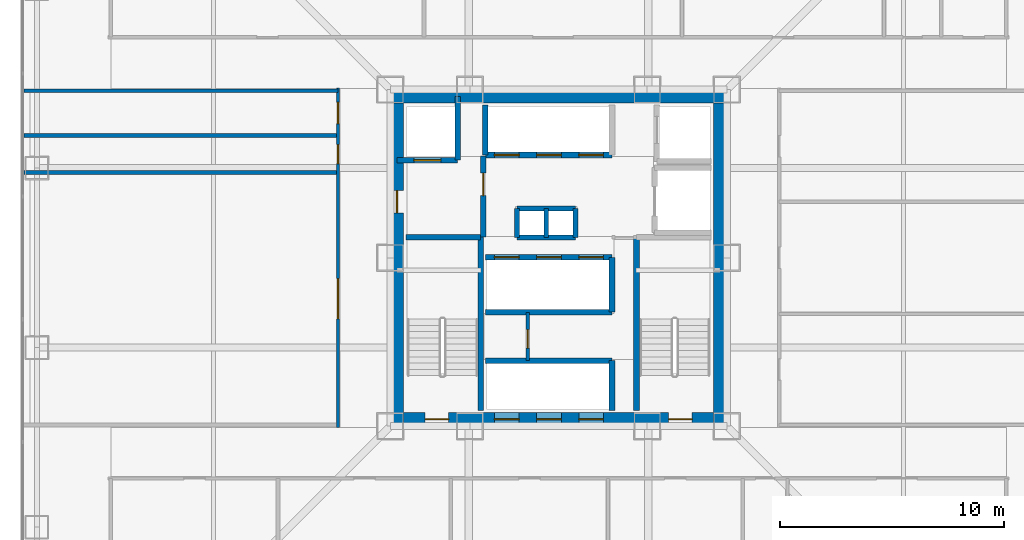
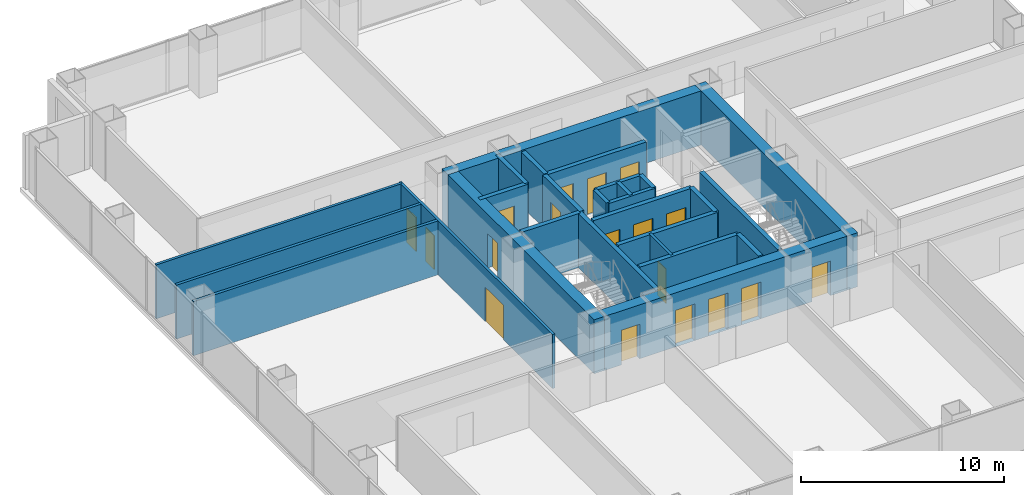
# One storey, part 15 of 19: 27 walls, 18 doors, 18 openings.
"""IFC4 building model written with IfcOpenShell, lengths in metres."""

from ifc_helpers import new_model, si_unit, direction, frame, frame_2d, origin, place, context, subcontext, project, spatial, rectangle, extrude, material, layer, layer_set, type_object, element, fill, save


model = new_model("IFC4")

# Units and contexts
model_context = context("Model", 3, precision=1e-05, world=origin(), true_north=direction((0.0, 1.0)))
body_context = subcontext(model_context, "Body", "Model", "MODEL_VIEW")
ifc_project = project(units=[si_unit("LENGTHUNIT", "METRE"), si_unit("AREAUNIT", "SQUARE_METRE"), si_unit("VOLUMEUNIT", "CUBIC_METRE"), si_unit("PLANEANGLEUNIT", "RADIAN"), si_unit("MASSUNIT", "GRAM", prefix="KILO")], contexts=[model_context])

# Site, building, storey
site_placement = place(None, origin())
site = spatial("IfcSite", under=ifc_project, at=site_placement, CompositionType="ELEMENT")
building_placement = place(site_placement, origin())
building = spatial("IfcBuilding", under=site, at=building_placement, Name="Trevonay Congress Spire", CompositionType="ELEMENT")
storey_placement = place(building_placement, frame((0.0, 0.0, 41.0)))
storey = spatial("IfcBuildingStorey", under=building, at=storey_placement, Name="L09", CompositionType="ELEMENT", Elevation=41.0)

# Wall, openings, doors
ifc_material_1 = material(Name="Concrete C60/75", Category="concrete")
ifc_layer_1 = layer(ifc_material_1, 0.60009765625, Name="Concrete C60/75")
ifc_layer_set_1 = layer_set([ifc_layer_1], Name="Concrete C60/75")
wall_type_1 = type_object("IfcWallType", Name="WAL-CORE-600", PredefinedType="SHEAR", material=ifc_layer_set_1)
wall_1_placement = place(storey_placement, frame((-7.5, -7.199951171875, 0.0), z_axis=(0.0, 0.0, 1.0), x_axis=(1.0, 0.0, 0.0)))
wall_1 = element("IfcWall", 1, at=wall_1_placement, inside=storey, type_object=wall_type_1, Name="L09 South structural core shear wall", PredefinedType="SHEAR", context=body_context, shape_type="SweptSolid", body=[
    extrude(rectangle(XDim=15.0, YDim=0.60009765625, at=frame_2d((7.5, 0.0))), origin(), (0.0, 0.0, 1.0), 3.25),
])
opening_1_placement = place(wall_1_placement, frame((1.550048828125, 0.0, 0.0)))
opening_1 = element("IfcOpeningElement", 2, at=opening_1_placement, cuts=wall_1, Name="Opening D05", PredefinedType="OPENING", context=body_context, shape_type="SweptSolid", body=[
    extrude(rectangle(XDim=1.050048828125, YDim=2.080078125, at=frame_2d((0.52490234375, 1.0400390625))), frame((0.0, 0.31005859375, 0.0), z_axis=(0.0, -1.0, 0.0), x_axis=(1.0, 0.0, 0.0)), (0.0, 0.0, 1.0), 0.6201171875),
])
opening_2_placement = place(wall_1_placement, frame((12.39990234375, 0.0, 0.0)))
opening_2 = element("IfcOpeningElement", 3, at=opening_2_placement, cuts=wall_1, Name="Opening D05", PredefinedType="OPENING", context=body_context, shape_type="SweptSolid", body=[
    extrude(rectangle(XDim=1.050048828125, YDim=2.080078125, at=frame_2d((0.52490234375, 1.0400390625))), frame((0.0, 0.31005859375, 0.0), z_axis=(0.0, -1.0, 0.0), x_axis=(1.0, 0.0, 0.0)), (0.0, 0.0, 1.0), 0.6201171875),
])
opening_3_placement = place(wall_1_placement, frame((4.639892578125, 0.0, 0.0)))
opening_3 = element("IfcOpeningElement", 4, at=opening_3_placement, cuts=wall_1, Name="Opening LD01", PredefinedType="OPENING", context=body_context, shape_type="SweptSolid", body=[
    extrude(rectangle(XDim=1.10009765625, YDim=2.199951171875, at=frame_2d((0.550048828125, 1.10009765625))), frame((0.0, 0.31005859375, 0.0), z_axis=(0.0, -1.0, 0.0), x_axis=(1.0, 0.0, 0.0)), (0.0, 0.0, 1.0), 0.6201171875),
])
opening_4_placement = place(wall_1_placement, frame((6.52001953125, 0.0, 0.0)))
opening_4 = element("IfcOpeningElement", 5, at=opening_4_placement, cuts=wall_1, Name="Opening LD01", PredefinedType="OPENING", context=body_context, shape_type="SweptSolid", body=[
    extrude(rectangle(XDim=1.10009765625, YDim=2.199951171875, at=frame_2d((0.550048828125, 1.10009765625))), frame((0.0, 0.31005859375, 0.0), z_axis=(0.0, -1.0, 0.0), x_axis=(1.0, 0.0, 0.0)), (0.0, 0.0, 1.0), 0.6201171875),
])
opening_5_placement = place(wall_1_placement, frame((8.39990234375, 0.0, 0.0)))
opening_5 = element("IfcOpeningElement", 6, at=opening_5_placement, cuts=wall_1, Name="Opening LD01", PredefinedType="OPENING", context=body_context, shape_type="SweptSolid", body=[
    extrude(rectangle(XDim=1.10009765625, YDim=2.199951171875, at=frame_2d((0.550048828125, 1.10009765625))), frame((0.0, 0.31005859375, 0.0), z_axis=(0.0, -1.0, 0.0), x_axis=(1.0, 0.0, 0.0)), (0.0, 0.0, 1.0), 0.6201171875),
])
ifc_material_2 = material(Name="Pale Anodised Aluminium EN AW-6063-T6", Category="aluminium")
door_type_1 = type_object("IfcDoorType", Name="DOR-LIFT-LD01", OperationType="DOUBLE_DOOR_SLIDING", PredefinedType="DOOR", material=ifc_material_2)
door_1_placement = place(opening_3_placement, origin())
door_1 = element("IfcDoor", 7, at=door_1_placement, inside=storey, type_object=door_type_1, Name="L09 Passenger lift PL-01 landing door", OperationType="DOUBLE_DOOR_SLIDING", OverallHeight=2.199951171875, OverallWidth=1.10009765625, PredefinedType="DOOR", context=body_context, shape_type="SweptSolid", body=[
    extrude(rectangle(XDim=1.10009765625, YDim=2.199951171875, at=frame_2d((0.550048828125, 1.10009765625))), frame((0.0, 0.02490234375, 0.0), z_axis=(0.0, -1.0, 0.0), x_axis=(1.0, 0.0, 0.0)), (0.0, 0.0, 1.0), 0.050048828125),
])
fill(opening_3, door_1)
door_2_placement = place(opening_4_placement, origin())
door_2 = element("IfcDoor", 8, at=door_2_placement, inside=storey, type_object=door_type_1, Name="L09 Passenger lift PL-02 landing door", OperationType="DOUBLE_DOOR_SLIDING", OverallHeight=2.199951171875, OverallWidth=1.10009765625, PredefinedType="DOOR", context=body_context, shape_type="SweptSolid", body=[
    extrude(rectangle(XDim=1.10009765625, YDim=2.199951171875, at=frame_2d((0.550048828125, 1.10009765625))), frame((0.0, 0.02490234375, 0.0), z_axis=(0.0, -1.0, 0.0), x_axis=(1.0, 0.0, 0.0)), (0.0, 0.0, 1.0), 0.050048828125),
])
fill(opening_4, door_2)
door_3_placement = place(opening_5_placement, origin())
door_3 = element("IfcDoor", 9, at=door_3_placement, inside=storey, type_object=door_type_1, Name="L09 Passenger lift PL-03 landing door", OperationType="DOUBLE_DOOR_SLIDING", OverallHeight=2.199951171875, OverallWidth=1.10009765625, PredefinedType="DOOR", context=body_context, shape_type="SweptSolid", body=[
    extrude(rectangle(XDim=1.10009765625, YDim=2.199951171875, at=frame_2d((0.550048828125, 1.10009765625))), frame((0.0, 0.02490234375, 0.0), z_axis=(0.0, -1.0, 0.0), x_axis=(1.0, 0.0, 0.0)), (0.0, 0.0, 1.0), 0.050048828125),
])
fill(opening_5, door_3)
ifc_material_3 = material(Name="Steel ASTM A572 Grade 50", Category="steel")
door_type_2 = type_object("IfcDoorType", Name="DOR-STAIR-110", OperationType="NOTDEFINED", PredefinedType="DOOR", material=ifc_material_3)
door_4_placement = place(opening_1_placement, origin())
door_4 = element("IfcDoor", 10, at=door_4_placement, inside=storey, type_object=door_type_2, Name="L09 Protected Stair ST-1 Door", OperationType="SINGLE_SWING_LEFT", OverallHeight=2.080078125, OverallWidth=1.050048828125, PredefinedType="DOOR", context=body_context, shape_type="SweptSolid", body=[
    extrude(rectangle(XDim=1.050048828125, YDim=2.080078125, at=frame_2d((0.52490234375, 1.0400390625))), frame((0.0, 0.02490234375, 0.0), z_axis=(0.0, -1.0, 0.0), x_axis=(1.0, 0.0, 0.0)), (0.0, 0.0, 1.0), 0.050048828125),
])
fill(opening_1, door_4)
door_5_placement = place(opening_2_placement, origin())
door_5 = element("IfcDoor", 11, at=door_5_placement, inside=storey, type_object=door_type_2, Name="L09 Protected Stair ST-2 Door", OperationType="SINGLE_SWING_RIGHT", OverallHeight=2.080078125, OverallWidth=1.050048828125, PredefinedType="DOOR", context=body_context, shape_type="SweptSolid", body=[
    extrude(rectangle(XDim=1.050048828125, YDim=2.080078125, at=frame_2d((0.52490234375, 1.0400390625))), frame((0.0, 0.02490234375, 0.0), z_axis=(0.0, -1.0, 0.0), x_axis=(1.0, 0.0, 0.0)), (0.0, 0.0, 1.0), 0.050048828125),
])
fill(opening_2, door_5)

# Wall
wall_2_placement = place(storey_placement, frame((-7.5, 7.199951171875, 0.0), z_axis=(0.0, 0.0, 1.0), x_axis=(1.0, 0.0, 0.0)))
element("IfcWall", 12, at=wall_2_placement, inside=storey, type_object=wall_type_1, Name="L09 North structural core shear wall", PredefinedType="SHEAR", context=body_context, shape_type="SweptSolid", body=[
    extrude(rectangle(XDim=15.0, YDim=0.60009765625, at=frame_2d((7.5, 0.0))), origin(), (0.0, 0.0, 1.0), 3.25),
])

# Wall, opening, door
wall_3_placement = place(storey_placement, frame((-7.199951171875, -7.5, 0.0), z_axis=(0.0, 0.0, 1.0), x_axis=(0.0, 1.0, 0.0)))
wall_3 = element("IfcWall", 13, at=wall_3_placement, inside=storey, type_object=wall_type_1, Name="L09 West structural core shear wall", PredefinedType="SHEAR", context=body_context, shape_type="SweptSolid", body=[
    extrude(rectangle(XDim=15.0, YDim=0.60009765625, at=frame_2d((7.5, 0.0))), origin(), (0.0, 0.0, 1.0), 3.25),
])
opening_6_placement = place(wall_3_placement, frame((9.5, 0.0, 0.0)))
opening_6 = element("IfcOpeningElement", 14, at=opening_6_placement, cuts=wall_3, Name="Opening D06", PredefinedType="OPENING", context=body_context, shape_type="SweptSolid", body=[
    extrude(rectangle(XDim=1.0, YDim=2.080078125, at=frame_2d((0.5, 1.0400390625))), frame((0.0, 0.31005859375, 0.0), z_axis=(0.0, -1.0, 0.0), x_axis=(1.0, 0.0, 0.0)), (0.0, 0.0, 1.0), 0.6201171875),
])
door_type_3 = type_object("IfcDoorType", Name="DOR-FIRE-100", OperationType="NOTDEFINED", PredefinedType="DOOR", material=ifc_material_3)
door_6_placement = place(opening_6_placement, origin())
door_6 = element("IfcDoor", 15, at=door_6_placement, inside=storey, type_object=door_type_3, Name="L09 Firefighting Lift Lobby West Corridor Door", OperationType="SINGLE_SWING_LEFT", OverallHeight=2.080078125, OverallWidth=1.0, PredefinedType="DOOR", context=body_context, shape_type="SweptSolid", body=[
    extrude(rectangle(XDim=1.0, YDim=2.080078125, at=frame_2d((0.5, 1.0400390625))), frame((0.0, 0.02490234375, 0.0), z_axis=(0.0, -1.0, 0.0), x_axis=(1.0, 0.0, 0.0)), (0.0, 0.0, 1.0), 0.050048828125),
])
fill(opening_6, door_6)

# Wall
wall_4_placement = place(storey_placement, frame((7.199951171875, -7.5, 0.0), z_axis=(0.0, 0.0, 1.0), x_axis=(0.0, 1.0, 0.0)))
element("IfcWall", 16, at=wall_4_placement, inside=storey, type_object=wall_type_1, Name="L09 East structural core shear wall", PredefinedType="SHEAR", context=body_context, shape_type="SweptSolid", body=[
    extrude(rectangle(XDim=15.0, YDim=0.60009765625, at=frame_2d((7.5, 0.0))), origin(), (0.0, 0.0, 1.0), 3.25),
])

# Wall, openings, doors
ifc_material_4 = material(Name="Concrete C40/50", Category="concrete")
ifc_layer_2 = layer(ifc_material_4, 0.14990234375, Name="Concrete C40/50")
ifc_layer_set_2 = layer_set([ifc_layer_2], Name="Concrete C40/50")
wall_type_2 = type_object("IfcWallType", Name="WAL-CORR-150", PredefinedType="PARTITIONING", material=ifc_layer_set_2)
wall_5_placement = place(storey_placement, frame((-9.830078125, -7.570068359375, 0.0), z_axis=(0.0, 0.0, 1.0), x_axis=(0.0, 1.0, 0.0)))
wall_5 = element("IfcWall", 17, at=wall_5_placement, inside=storey, type_object=wall_type_2, Name="L09 interior wall WP-L09W-COR", PredefinedType="PARTITIONING", context=body_context, shape_type="SweptSolid", body=[
    extrude(rectangle(XDim=15.14013671875, YDim=0.14990234375, at=frame_2d((7.570068359375, 0.0))), origin(), (0.0, 0.0, 1.0), 3.25),
])
opening_7_placement = place(wall_5_placement, frame((4.844970703125, 0.0, 0.0)))
opening_7 = element("IfcOpeningElement", 18, at=opening_7_placement, cuts=wall_5, Name="Opening D09", PredefinedType="OPENING", context=body_context, shape_type="SweptSolid", body=[
    extrude(rectangle(XDim=1.800048828125, YDim=2.080078125, at=frame_2d((0.89990234375, 1.0400390625))), frame((0.0, 0.0849609375, 0.0), z_axis=(0.0, -1.0, 0.0), x_axis=(1.0, 0.0, 0.0)), (0.0, 0.0, 1.0), 0.169921875),
])
opening_8_placement = place(wall_5_placement, frame((11.77001953125, 0.0, 0.0)))
opening_8 = element("IfcOpeningElement", 19, at=opening_8_placement, cuts=wall_5, Name="Opening D10", PredefinedType="OPENING", context=body_context, shape_type="SweptSolid", body=[
    extrude(rectangle(XDim=0.85009765625, YDim=2.050048828125, at=frame_2d((0.425048828125, 1.02490234375))), frame((0.0, 0.0849609375, 0.0), z_axis=(0.0, -1.0, 0.0), x_axis=(1.0, 0.0, 0.0)), (0.0, 0.0, 1.0), 0.169921875),
])
opening_9_placement = place(wall_5_placement, frame((13.544921875, 0.0, 0.0)))
opening_9 = element("IfcOpeningElement", 20, at=opening_9_placement, cuts=wall_5, Name="Opening D07", PredefinedType="OPENING", context=body_context, shape_type="SweptSolid", body=[
    extrude(rectangle(XDim=0.949951171875, YDim=2.06005859375, at=frame_2d((0.47509765625, 1.030029296875))), frame((0.0, 0.0849609375, 0.0), z_axis=(0.0, -1.0, 0.0), x_axis=(1.0, 0.0, 0.0)), (0.0, 0.0, 1.0), 0.169921875),
])
door_type_4 = type_object("IfcDoorType", Name="DOR-CONF-DBL", OperationType="DOUBLE_DOOR_SINGLE_SWING", PredefinedType="DOOR", material=ifc_material_2)
door_7_placement = place(opening_7_placement, origin())
door_7 = element("IfcDoor", 21, at=door_7_placement, inside=storey, type_object=door_type_4, Name="L09 Press Media Briefing Salon Door", OperationType="DOUBLE_DOOR_SINGLE_SWING", OverallHeight=2.080078125, OverallWidth=1.800048828125, PredefinedType="DOOR", context=body_context, shape_type="SweptSolid", body=[
    extrude(rectangle(XDim=1.800048828125, YDim=2.080078125, at=frame_2d((0.89990234375, 1.0400390625))), frame((0.0, 0.02490234375, 0.0), z_axis=(0.0, -1.0, 0.0), x_axis=(1.0, 0.0, 0.0)), (0.0, 0.0, 1.0), 0.050048828125),
])
fill(opening_7, door_7)
door_type_5 = type_object("IfcDoorType", Name="DOR-OFFICE-95", OperationType="NOTDEFINED", PredefinedType="DOOR", material=ifc_material_2)
door_8_placement = place(opening_9_placement, origin())
door_8 = element("IfcDoor", 22, at=door_8_placement, inside=storey, type_object=door_type_5, Name="L09 Floor Supplies and Copy Room Door", OperationType="SINGLE_SWING_LEFT", OverallHeight=2.06005859375, OverallWidth=0.949951171875, PredefinedType="DOOR", context=body_context, shape_type="SweptSolid", body=[
    extrude(rectangle(XDim=0.949951171875, YDim=2.06005859375, at=frame_2d((0.47509765625, 1.030029296875))), frame((0.0, 0.02490234375, 0.0), z_axis=(0.0, -1.0, 0.0), x_axis=(1.0, 0.0, 0.0)), (0.0, 0.0, 1.0), 0.050048828125),
])
fill(opening_9, door_8)
door_type_6 = type_object("IfcDoorType", Name="DOR-WC-85", OperationType="NOTDEFINED", PredefinedType="DOOR", material=ifc_material_2)
door_9_placement = place(opening_8_placement, origin())
door_9 = element("IfcDoor", 23, at=door_9_placement, inside=storey, type_object=door_type_6, Name="L09 Male Restroom WC Door", OperationType="SINGLE_SWING_RIGHT", OverallHeight=2.050048828125, OverallWidth=0.85009765625, PredefinedType="DOOR", context=body_context, shape_type="SweptSolid", body=[
    extrude(rectangle(XDim=0.85009765625, YDim=2.050048828125, at=frame_2d((0.425048828125, 1.02490234375))), frame((0.0, 0.02490234375, 0.0), z_axis=(0.0, -1.0, 0.0), x_axis=(1.0, 0.0, 0.0)), (0.0, 0.0, 1.0), 0.050048828125),
])
fill(opening_8, door_9)

# Wall, opening, door
ifc_layer_3 = layer(ifc_material_4, 0.14990234375, Name="Concrete C40/50")
ifc_layer_set_3 = layer_set([ifc_layer_3], Name="Concrete C40/50")
wall_type_3 = type_object("IfcWallType", Name="WAL-PART-150", PredefinedType="PARTITIONING", material=ifc_layer_set_3)
wall_6_placement = place(storey_placement, frame((-1.3798828125, -4.570068359375, 0.0), z_axis=(0.0, 0.0, 1.0), x_axis=(0.0, 1.0, 0.0)))
wall_6 = element("IfcWall", 24, at=wall_6_placement, inside=storey, type_object=wall_type_3, Name="L09 interior wall CW-K2-L09", PredefinedType="PARTITIONING", context=body_context, shape_type="SweptSolid", body=[
    extrude(rectangle(XDim=2.14013671875, YDim=0.14990234375, at=frame_2d((1.070068359375, 0.0))), origin(), (0.0, 0.0, 1.0), 3.25),
])
opening_10_placement = place(wall_6_placement, frame((0.550048828125, 0.0, 0.0)))
opening_10 = element("IfcOpeningElement", 25, at=opening_10_placement, cuts=wall_6, Name="Opening D13", PredefinedType="OPENING", context=body_context, shape_type="SweptSolid", body=[
    extrude(rectangle(XDim=0.820068359375, YDim=2.050048828125, at=frame_2d((0.41015625, 1.02490234375))), frame((0.0, 0.0849609375, 0.0), z_axis=(0.0, -1.0, 0.0), x_axis=(1.0, 0.0, 0.0)), (0.0, 0.0, 1.0), 0.169921875),
])
door_type_7 = type_object("IfcDoorType", Name="DOR-UTIL-80", OperationType="NOTDEFINED", PredefinedType="DOOR", material=ifc_material_3)
door_10_placement = place(opening_10_placement, origin())
door_10 = element("IfcDoor", 26, at=door_10_placement, inside=storey, type_object=door_type_7, Name="L09 Core Valve Room Door", OperationType="SINGLE_SWING_RIGHT", OverallHeight=2.050048828125, OverallWidth=0.820068359375, PredefinedType="DOOR", context=body_context, shape_type="SweptSolid", body=[
    extrude(rectangle(XDim=0.820068359375, YDim=2.050048828125, at=frame_2d((0.41015625, 1.02490234375))), frame((0.0, 0.02490234375, 0.0), z_axis=(0.0, -1.0, 0.0), x_axis=(1.0, 0.0, 0.0)), (0.0, 0.0, 1.0), 0.050048828125),
])
fill(opening_10, door_10)

# Walls
wall_7_placement = place(storey_placement, frame((-23.820068359375, 7.449951171875, 0.0), z_axis=(0.0, 0.0, 1.0), x_axis=(1.0, 0.0, 0.0)))
element("IfcWall", 27, at=wall_7_placement, inside=storey, type_object=wall_type_3, Name="L09 interior wall WP-L09W-DIV3", PredefinedType="PARTITIONING", context=body_context, shape_type="SweptSolid", body=[
    extrude(rectangle(XDim=13.989990234375, YDim=0.14990234375, at=frame_2d((6.9951171875, 0.0))), origin(), (0.0, 0.0, 1.0), 3.25),
])
ifc_layer_4 = layer(ifc_material_4, 0.219970703125, Name="Concrete C40/50")
ifc_layer_set_4 = layer_set([ifc_layer_4], Name="Concrete C40/50")
wall_type_4 = type_object("IfcWallType", Name="WAL-SHAFT-220", PredefinedType="PARTITIONING", material=ifc_layer_set_4)
for number, where, z_axis, x_axis, name in (
    (28, (-1.85009765625, 2.199951171875, 0.0), (0.0, 0.0, 1.0), (1.0, 0.0, 0.0), "L09 interior shaft wall WSH-L09-RSR-N"),
    (29, (-1.85009765625, 0.89990234375, 0.0), (0.0, 0.0, 1.0), (1.0, 0.0, 0.0), "L09 interior shaft wall WSH-L09-RSR-S"),
):
    element("IfcWall", number, at=place(storey_placement, frame(where, z_axis=z_axis, x_axis=x_axis)), inside=storey, type_object=wall_type_4, Name=name, PredefinedType="PARTITIONING", context=body_context, shape_type="SweptSolid", body=[
        extrude(rectangle(XDim=2.60009765625, YDim=0.219970703125, at=frame_2d((1.300048828125, 0.0))), origin(), (0.0, 0.0, 1.0), 3.25),
    ])
for number, where, z_axis, x_axis, name in (
    (30, (-0.550048828125, 0.89990234375, 0.0), (0.0, 0.0, 1.0), (0.0, 1.0, 0.0), "L09 interior shaft wall WSH-L09-RSR-M"),
    (31, (0.75, 0.89990234375, 0.0), (0.0, 0.0, 1.0), (0.0, 1.0, 0.0), "L09 interior shaft wall WSH-L09-RSR-E"),
    (32, (-1.85009765625, 0.89990234375, 0.0), (0.0, 0.0, 1.0), (0.0, 1.0, 0.0), "L09 interior shaft wall WSH-L09-RSR-W"),
):
    element("IfcWall", number, at=place(storey_placement, frame(where, z_axis=z_axis, x_axis=x_axis)), inside=storey, type_object=wall_type_4, Name=name, PredefinedType="PARTITIONING", context=body_context, shape_type="SweptSolid", body=[
        extrude(rectangle(XDim=1.300048828125, YDim=0.219970703125, at=frame_2d((0.64990234375, 0.0))), origin(), (0.0, 0.0, 1.0), 3.25),
    ])
ifc_layer_5 = layer(ifc_material_4, 0.25, Name="Concrete C40/50")
ifc_layer_set_5 = layer_set([ifc_layer_5], Name="Concrete C40/50")
wall_type_5 = type_object("IfcWallType", Name="WAL-SHAFT-250", PredefinedType="SHEAR", material=ifc_layer_set_5)
wall_8_placement = place(storey_placement, frame((-3.260009765625, -4.580078125, 0.0), z_axis=(0.0, 0.0, 1.0), x_axis=(1.0, 0.0, 0.0)))
element("IfcWall", 33, at=wall_8_placement, inside=storey, type_object=wall_type_5, Name="L09 interior shaft wall WSH-L09-B1-N", PredefinedType="SHEAR", context=body_context, shape_type="SweptSolid", body=[
    extrude(rectangle(XDim=5.639892578125, YDim=0.25, at=frame_2d((2.81982421875, 0.0))), origin(), (0.0, 0.0, 1.0), 3.25),
])
wall_9_placement = place(storey_placement, frame((2.3798828125, -6.800048828125, 0.0), z_axis=(0.0, 0.0, 1.0), x_axis=(0.0, 1.0, 0.0)))
element("IfcWall", 34, at=wall_9_placement, inside=storey, type_object=wall_type_5, Name="L09 interior shaft wall WSH-L09-B1-E", PredefinedType="SHEAR", context=body_context, shape_type="SweptSolid", body=[
    extrude(rectangle(XDim=2.219970703125, YDim=0.25, at=frame_2d((1.10986328125, 0.0))), origin(), (0.0, 0.0, 1.0), 3.25),
])

# Wall, openings, doors
wall_10_placement = place(storey_placement, frame((-3.260009765625, 0.02001953125, 0.0), z_axis=(0.0, 0.0, 1.0), x_axis=(1.0, 0.0, 0.0)))
wall_10 = element("IfcWall", 35, at=wall_10_placement, inside=storey, type_object=wall_type_5, Name="L09 interior shaft wall WSH-L09-B2-N", PredefinedType="SHEAR", context=body_context, shape_type="SweptSolid", body=[
    extrude(rectangle(XDim=5.639892578125, YDim=0.25, at=frame_2d((2.81982421875, 0.0))), origin(), (0.0, 0.0, 1.0), 3.25),
])
opening_11_placement = place(wall_10_placement, frame((0.39990234375, 0.0, 0.0)))
opening_11 = element("IfcOpeningElement", 36, at=opening_11_placement, cuts=wall_10, Name="Opening LD02", PredefinedType="OPENING", context=body_context, shape_type="SweptSolid", body=[
    extrude(rectangle(XDim=1.10009765625, YDim=2.199951171875, at=frame_2d((0.550048828125, 1.10009765625))), frame((0.0, 0.135009765625, 0.0), z_axis=(0.0, -1.0, 0.0), x_axis=(1.0, 0.0, 0.0)), (0.0, 0.0, 1.0), 0.27001953125),
])
opening_12_placement = place(wall_10_placement, frame((2.280029296875, 0.0, 0.0)))
opening_12 = element("IfcOpeningElement", 37, at=opening_12_placement, cuts=wall_10, Name="Opening LD02", PredefinedType="OPENING", context=body_context, shape_type="SweptSolid", body=[
    extrude(rectangle(XDim=1.10009765625, YDim=2.199951171875, at=frame_2d((0.550048828125, 1.10009765625))), frame((0.0, 0.135009765625, 0.0), z_axis=(0.0, -1.0, 0.0), x_axis=(1.0, 0.0, 0.0)), (0.0, 0.0, 1.0), 0.27001953125),
])
opening_13_placement = place(wall_10_placement, frame((4.159912109375, 0.0, 0.0)))
opening_13 = element("IfcOpeningElement", 38, at=opening_13_placement, cuts=wall_10, Name="Opening LD02", PredefinedType="OPENING", context=body_context, shape_type="SweptSolid", body=[
    extrude(rectangle(XDim=1.10009765625, YDim=2.199951171875, at=frame_2d((0.550048828125, 1.10009765625))), frame((0.0, 0.135009765625, 0.0), z_axis=(0.0, -1.0, 0.0), x_axis=(1.0, 0.0, 0.0)), (0.0, 0.0, 1.0), 0.27001953125),
])
door_type_8 = type_object("IfcDoorType", Name="DOR-LIFT-LD02", OperationType="DOUBLE_DOOR_SLIDING", PredefinedType="DOOR", material=ifc_material_2)
door_11_placement = place(opening_11_placement, origin())
door_11 = element("IfcDoor", 39, at=door_11_placement, inside=storey, type_object=door_type_8, Name="L09 Passenger lift PL-04 landing door", OperationType="DOUBLE_DOOR_SLIDING", OverallHeight=2.199951171875, OverallWidth=1.10009765625, PredefinedType="DOOR", context=body_context, shape_type="SweptSolid", body=[
    extrude(rectangle(XDim=1.10009765625, YDim=2.199951171875, at=frame_2d((0.550048828125, 1.10009765625))), frame((0.0, 0.02490234375, 0.0), z_axis=(0.0, -1.0, 0.0), x_axis=(1.0, 0.0, 0.0)), (0.0, 0.0, 1.0), 0.050048828125),
])
fill(opening_11, door_11)
door_12_placement = place(opening_12_placement, origin())
door_12 = element("IfcDoor", 40, at=door_12_placement, inside=storey, type_object=door_type_8, Name="L09 Passenger lift PL-05 landing door", OperationType="DOUBLE_DOOR_SLIDING", OverallHeight=2.199951171875, OverallWidth=1.10009765625, PredefinedType="DOOR", context=body_context, shape_type="SweptSolid", body=[
    extrude(rectangle(XDim=1.10009765625, YDim=2.199951171875, at=frame_2d((0.550048828125, 1.10009765625))), frame((0.0, 0.02490234375, 0.0), z_axis=(0.0, -1.0, 0.0), x_axis=(1.0, 0.0, 0.0)), (0.0, 0.0, 1.0), 0.050048828125),
])
fill(opening_12, door_12)
door_13_placement = place(opening_13_placement, origin())
door_13 = element("IfcDoor", 41, at=door_13_placement, inside=storey, type_object=door_type_8, Name="L09 Passenger lift PL-06 landing door", OperationType="DOUBLE_DOOR_SLIDING", OverallHeight=2.199951171875, OverallWidth=1.10009765625, PredefinedType="DOOR", context=body_context, shape_type="SweptSolid", body=[
    extrude(rectangle(XDim=1.10009765625, YDim=2.199951171875, at=frame_2d((0.550048828125, 1.10009765625))), frame((0.0, 0.02490234375, 0.0), z_axis=(0.0, -1.0, 0.0), x_axis=(1.0, 0.0, 0.0)), (0.0, 0.0, 1.0), 0.050048828125),
])
fill(opening_13, door_13)

# Walls
wall_11_placement = place(storey_placement, frame((-3.260009765625, -2.419921875, 0.0), z_axis=(0.0, 0.0, 1.0), x_axis=(1.0, 0.0, 0.0)))
element("IfcWall", 42, at=wall_11_placement, inside=storey, type_object=wall_type_5, Name="L09 interior shaft wall WSH-L09-B2-S", PredefinedType="SHEAR", context=body_context, shape_type="SweptSolid", body=[
    extrude(rectangle(XDim=5.639892578125, YDim=0.25, at=frame_2d((2.81982421875, 0.0))), origin(), (0.0, 0.0, 1.0), 3.25),
])
wall_12_placement = place(storey_placement, frame((2.3798828125, -2.419921875, 0.0), z_axis=(0.0, 0.0, 1.0), x_axis=(0.0, 1.0, 0.0)))
element("IfcWall", 43, at=wall_12_placement, inside=storey, type_object=wall_type_5, Name="L09 interior shaft wall WSH-L09-B2-E", PredefinedType="SHEAR", context=body_context, shape_type="SweptSolid", body=[
    extrude(rectangle(XDim=2.43994140625, YDim=0.25, at=frame_2d((1.219970703125, 0.0))), origin(), (0.0, 0.0, 1.0), 3.25),
])

# Wall, openings, doors
wall_13_placement = place(storey_placement, frame((-3.260009765625, 4.580078125, 0.0), z_axis=(0.0, 0.0, 1.0), x_axis=(1.0, 0.0, 0.0)))
wall_13 = element("IfcWall", 44, at=wall_13_placement, inside=storey, type_object=wall_type_5, Name="L09 interior shaft wall WSH-L09-B3-S", PredefinedType="SHEAR", context=body_context, shape_type="SweptSolid", body=[
    extrude(rectangle(XDim=5.639892578125, YDim=0.25, at=frame_2d((2.81982421875, 0.0))), origin(), (0.0, 0.0, 1.0), 3.25),
])
opening_14_placement = place(wall_13_placement, frame((0.39990234375, 0.0, 0.0)))
opening_14 = element("IfcOpeningElement", 45, at=opening_14_placement, cuts=wall_13, Name="Opening LD03", PredefinedType="OPENING", context=body_context, shape_type="SweptSolid", body=[
    extrude(rectangle(XDim=1.10009765625, YDim=2.199951171875, at=frame_2d((0.550048828125, 1.10009765625))), frame((0.0, 0.135009765625, 0.0), z_axis=(0.0, -1.0, 0.0), x_axis=(1.0, 0.0, 0.0)), (0.0, 0.0, 1.0), 0.27001953125),
])
opening_15_placement = place(wall_13_placement, frame((2.280029296875, 0.0, 0.0)))
opening_15 = element("IfcOpeningElement", 46, at=opening_15_placement, cuts=wall_13, Name="Opening LD03", PredefinedType="OPENING", context=body_context, shape_type="SweptSolid", body=[
    extrude(rectangle(XDim=1.10009765625, YDim=2.199951171875, at=frame_2d((0.550048828125, 1.10009765625))), frame((0.0, 0.135009765625, 0.0), z_axis=(0.0, -1.0, 0.0), x_axis=(1.0, 0.0, 0.0)), (0.0, 0.0, 1.0), 0.27001953125),
])
opening_16_placement = place(wall_13_placement, frame((4.159912109375, 0.0, 0.0)))
opening_16 = element("IfcOpeningElement", 47, at=opening_16_placement, cuts=wall_13, Name="Opening LD03", PredefinedType="OPENING", context=body_context, shape_type="SweptSolid", body=[
    extrude(rectangle(XDim=1.10009765625, YDim=2.199951171875, at=frame_2d((0.550048828125, 1.10009765625))), frame((0.0, 0.135009765625, 0.0), z_axis=(0.0, -1.0, 0.0), x_axis=(1.0, 0.0, 0.0)), (0.0, 0.0, 1.0), 0.27001953125),
])
door_type_9 = type_object("IfcDoorType", Name="DOR-LIFT-LD03", OperationType="DOUBLE_DOOR_SLIDING", PredefinedType="DOOR", material=ifc_material_2)
door_14_placement = place(opening_14_placement, origin())
door_14 = element("IfcDoor", 48, at=door_14_placement, inside=storey, type_object=door_type_9, Name="L09 Passenger lift PL-07 landing door", OperationType="DOUBLE_DOOR_SLIDING", OverallHeight=2.199951171875, OverallWidth=1.10009765625, PredefinedType="DOOR", context=body_context, shape_type="SweptSolid", body=[
    extrude(rectangle(XDim=1.10009765625, YDim=2.199951171875, at=frame_2d((0.550048828125, 1.10009765625))), frame((0.0, 0.02490234375, 0.0), z_axis=(0.0, -1.0, 0.0), x_axis=(1.0, 0.0, 0.0)), (0.0, 0.0, 1.0), 0.050048828125),
])
fill(opening_14, door_14)
door_15_placement = place(opening_15_placement, origin())
door_15 = element("IfcDoor", 49, at=door_15_placement, inside=storey, type_object=door_type_9, Name="L09 Passenger lift PL-08 landing door", OperationType="DOUBLE_DOOR_SLIDING", OverallHeight=2.199951171875, OverallWidth=1.10009765625, PredefinedType="DOOR", context=body_context, shape_type="SweptSolid", body=[
    extrude(rectangle(XDim=1.10009765625, YDim=2.199951171875, at=frame_2d((0.550048828125, 1.10009765625))), frame((0.0, 0.02490234375, 0.0), z_axis=(0.0, -1.0, 0.0), x_axis=(1.0, 0.0, 0.0)), (0.0, 0.0, 1.0), 0.050048828125),
])
fill(opening_15, door_15)
door_16_placement = place(opening_16_placement, origin())
door_16 = element("IfcDoor", 50, at=door_16_placement, inside=storey, type_object=door_type_9, Name="L09 Passenger lift PL-09 landing door", OperationType="DOUBLE_DOOR_SLIDING", OverallHeight=2.199951171875, OverallWidth=1.10009765625, PredefinedType="DOOR", context=body_context, shape_type="SweptSolid", body=[
    extrude(rectangle(XDim=1.10009765625, YDim=2.199951171875, at=frame_2d((0.550048828125, 1.10009765625))), frame((0.0, 0.02490234375, 0.0), z_axis=(0.0, -1.0, 0.0), x_axis=(1.0, 0.0, 0.0)), (0.0, 0.0, 1.0), 0.050048828125),
])
fill(opening_16, door_16)

# Wall
wall_14_placement = place(storey_placement, frame((-3.260009765625, 4.580078125, 0.0), z_axis=(0.0, 0.0, 1.0), x_axis=(0.0, 1.0, 0.0)))
element("IfcWall", 51, at=wall_14_placement, inside=storey, type_object=wall_type_5, Name="L09 interior shaft wall WSH-L09-B3-W", PredefinedType="SHEAR", context=body_context, shape_type="SweptSolid", body=[
    extrude(rectangle(XDim=2.219970703125, YDim=0.25, at=frame_2d((1.10986328125, 0.0))), origin(), (0.0, 0.0, 1.0), 3.25),
])

# Wall, opening, door
wall_15_placement = place(storey_placement, frame((-7.199951171875, 4.35009765625, 0.0), z_axis=(0.0, 0.0, 1.0), x_axis=(1.0, 0.0, 0.0)))
wall_15 = element("IfcWall", 52, at=wall_15_placement, inside=storey, type_object=wall_type_5, Name="L09 interior shaft wall WSH-L09-FF1-S", PredefinedType="SHEAR", context=body_context, shape_type="SweptSolid", body=[
    extrude(rectangle(XDim=2.699951171875, YDim=0.25, at=frame_2d((1.35009765625, 0.0))), origin(), (0.0, 0.0, 1.0), 3.25),
])
opening_17_placement = place(wall_15_placement, frame((0.75, 0.0, 0.0)))
opening_17 = element("IfcOpeningElement", 53, at=opening_17_placement, cuts=wall_15, Name="Opening LD04", PredefinedType="OPENING", context=body_context, shape_type="SweptSolid", body=[
    extrude(rectangle(XDim=1.199951171875, YDim=2.199951171875, at=frame_2d((0.60009765625, 1.10009765625))), frame((0.0, 0.135009765625, 0.0), z_axis=(0.0, -1.0, 0.0), x_axis=(1.0, 0.0, 0.0)), (0.0, 0.0, 1.0), 0.27001953125),
])
door_type_10 = type_object("IfcDoorType", Name="DOR-LIFT-LD04", OperationType="DOUBLE_DOOR_SLIDING", PredefinedType="DOOR", material=ifc_material_3)
door_17_placement = place(opening_17_placement, origin())
door_17 = element("IfcDoor", 54, at=door_17_placement, inside=storey, type_object=door_type_10, Name="L09 Firefighting lift FFL-01 landing door", OperationType="DOUBLE_DOOR_SLIDING", OverallHeight=2.199951171875, OverallWidth=1.199951171875, PredefinedType="DOOR", context=body_context, shape_type="SweptSolid", body=[
    extrude(rectangle(XDim=1.199951171875, YDim=2.199951171875, at=frame_2d((0.60009765625, 1.10009765625))), frame((0.0, 0.02490234375, 0.0), z_axis=(0.0, -1.0, 0.0), x_axis=(1.0, 0.0, 0.0)), (0.0, 0.0, 1.0), 0.050048828125),
])
fill(opening_17, door_17)

# Wall
wall_16_placement = place(storey_placement, frame((-4.5, 4.35009765625, 0.0), z_axis=(0.0, 0.0, 1.0), x_axis=(0.0, 1.0, 0.0)))
element("IfcWall", 55, at=wall_16_placement, inside=storey, type_object=wall_type_5, Name="L09 interior shaft wall WSH-L09-FF1-E", PredefinedType="SHEAR", context=body_context, shape_type="SweptSolid", body=[
    extrude(rectangle(XDim=2.849853515625, YDim=0.25, at=frame_2d((1.4248046875, 0.0))), origin(), (0.0, 0.0, 1.0), 3.25),
])

# Wall, opening, door
wall_17_placement = place(storey_placement, frame((-3.35009765625, 0.919921875, 0.0), z_axis=(0.0, 0.0, 1.0), x_axis=(0.0, 1.0, 0.0)))
wall_17 = element("IfcWall", 56, at=wall_17_placement, inside=storey, type_object=wall_type_5, Name="L09 interior wall CW-FFLW-E-L09", PredefinedType="SHEAR", context=body_context, shape_type="SweptSolid", body=[
    extrude(rectangle(XDim=3.6201171875, YDim=0.25, at=frame_2d((1.81005859375, 0.0))), origin(), (0.0, 0.0, 1.0), 3.25),
])
opening_18_placement = place(wall_17_placement, frame((1.85009765625, 0.0, 0.0)))
opening_18 = element("IfcOpeningElement", 57, at=opening_18_placement, cuts=wall_17, Name="Opening D06", PredefinedType="OPENING", context=body_context, shape_type="SweptSolid", body=[
    extrude(rectangle(XDim=1.0, YDim=2.080078125, at=frame_2d((0.5, 1.0400390625))), frame((0.0, 0.135009765625, 0.0), z_axis=(0.0, -1.0, 0.0), x_axis=(1.0, 0.0, 0.0)), (0.0, 0.0, 1.0), 0.27001953125),
])
door_18_placement = place(opening_18_placement, origin())
door_18 = element("IfcDoor", 58, at=door_18_placement, inside=storey, type_object=door_type_3, Name="L09 Firefighting Core Lobby Transfer Door", OperationType="SINGLE_SWING_RIGHT", OverallHeight=2.080078125, OverallWidth=1.0, PredefinedType="DOOR", context=body_context, shape_type="SweptSolid", body=[
    extrude(rectangle(XDim=1.0, YDim=2.080078125, at=frame_2d((0.5, 1.0400390625))), frame((0.0, 0.02490234375, 0.0), z_axis=(0.0, -1.0, 0.0), x_axis=(1.0, 0.0, 0.0)), (0.0, 0.0, 1.0), 0.050048828125),
])
fill(opening_18, door_18)

# Walls
ifc_layer_6 = layer(ifc_material_4, 0.25, Name="Concrete C40/50")
ifc_layer_set_6 = layer_set([ifc_layer_6], Name="Concrete C40/50")
wall_type_6 = type_object("IfcWallType", Name="WAL-SHAFT-LB-250", PredefinedType="SHEAR", material=ifc_layer_set_6)
wall_18_placement = place(storey_placement, frame((-3.469970703125, -6.800048828125, 0.0), z_axis=(0.0, 0.0, 1.0), x_axis=(0.0, 1.0, 0.0)))
element("IfcWall", 59, at=wall_18_placement, inside=storey, type_object=wall_type_6, Name="L09 interior shaft wall WSH-L09-ST1-E", PredefinedType="SHEAR", context=body_context, shape_type="SweptSolid", body=[
    extrude(rectangle(XDim=7.719970703125, YDim=0.25, at=frame_2d((3.85986328125, 0.0))), origin(), (0.0, 0.0, 1.0), 3.25),
])
wall_19_placement = place(storey_placement, frame((-6.800048828125, 0.919921875, 0.0), z_axis=(0.0, 0.0, 1.0), x_axis=(1.0, 0.0, 0.0)))
element("IfcWall", 60, at=wall_19_placement, inside=storey, type_object=wall_type_6, Name="L09 interior shaft wall WSH-L09-ST1-N", PredefinedType="SHEAR", context=body_context, shape_type="SweptSolid", body=[
    extrude(rectangle(XDim=3.330078125, YDim=0.25, at=frame_2d((1.6650390625, 0.0))), origin(), (0.0, 0.0, 1.0), 3.25),
])
wall_20_placement = place(storey_placement, frame((3.469970703125, -6.800048828125, 0.0), z_axis=(0.0, 0.0, 1.0), x_axis=(0.0, 1.0, 0.0)))
element("IfcWall", 61, at=wall_20_placement, inside=storey, type_object=wall_type_6, Name="L09 interior shaft wall WSH-L09-ST2-W", PredefinedType="SHEAR", context=body_context, shape_type="SweptSolid", body=[
    extrude(rectangle(XDim=7.719970703125, YDim=0.25, at=frame_2d((3.85986328125, 0.0))), origin(), (0.0, 0.0, 1.0), 3.25),
])
ifc_layer_7 = layer(ifc_material_4, 0.1650390625, Name="Concrete C40/50")
ifc_layer_set_7 = layer_set([ifc_layer_7], Name="Concrete C40/50")
wall_type_7 = type_object("IfcWallType", Name="WAL-WET-165", PredefinedType="PLUMBINGWALL", material=ifc_layer_set_7)
for number, where, z_axis, x_axis, name in (
    (62, (-23.820068359375, 5.449951171875, 0.0), (0.0, 0.0, 1.0), (1.0, 0.0, 0.0), "L09 interior wall WP-L09W-WCS2"),
    (63, (-23.820068359375, 3.800048828125, 0.0), (0.0, 0.0, 1.0), (1.0, 0.0, 0.0), "L09 interior wall WP-L09W-DIV2"),
):
    element("IfcWall", number, at=place(storey_placement, frame(where, z_axis=z_axis, x_axis=x_axis)), inside=storey, type_object=wall_type_7, Name=name, PredefinedType="PLUMBINGWALL", context=body_context, shape_type="SweptSolid", body=[
        extrude(rectangle(XDim=13.989990234375, YDim=0.1650390625, at=frame_2d((6.9951171875, 0.0))), origin(), (0.0, 0.0, 1.0), 3.25),
    ])

save(model, "model.ifc")
